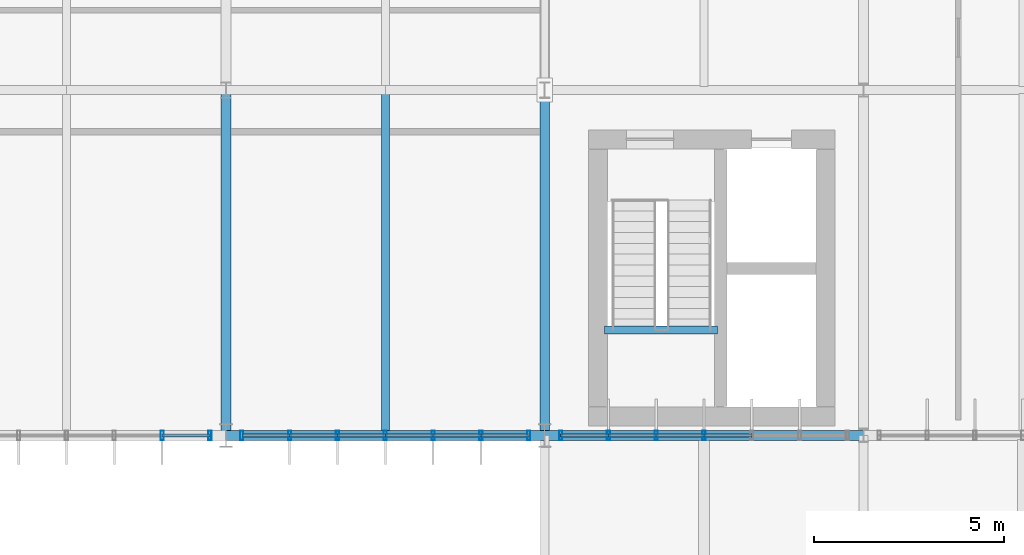
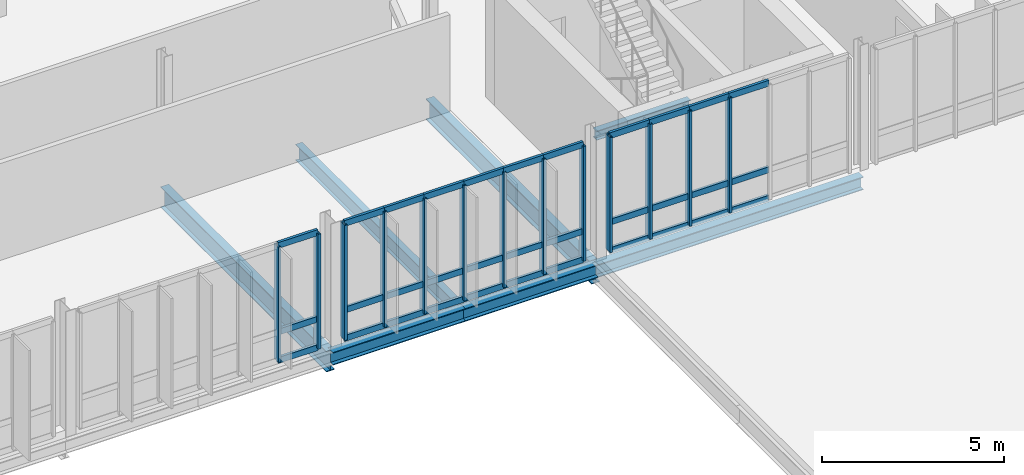
# One storey, part 61 of 107: 46 members, 7 beams, 3 elements without a shape of their own.
"""IFC4 building model written with IfcOpenShell, lengths in metres."""

from ifc_helpers import new_model, si_unit, derived_unit, direction, frame, origin, origin_2d, place, context, subcontext, project, spatial, hollow_rectangle, i_section, extrude, material, layer, layer_set, material_profile, profile_set, type_object, element, aggregate, save


model = new_model("IFC4")

# Units and contexts
model_context = context("Model", 3, precision=1e-05, world=origin(), true_north=direction((0.0, 1.0)))
body_context = subcontext(model_context, "Body", "Model", "MODEL_VIEW")
ifc_project = project(units=[si_unit("LENGTHUNIT", "METRE"), si_unit("AREAUNIT", "SQUARE_METRE"), si_unit("VOLUMEUNIT", "CUBIC_METRE"), si_unit("PLANEANGLEUNIT", "RADIAN"), si_unit("MASSUNIT", "GRAM", prefix="KILO"), derived_unit("THERMALTRANSMITTANCEUNIT", [(si_unit("MASSUNIT", "GRAM", prefix="KILO"), 1), (si_unit("TIMEUNIT", "SECOND"), -3), (si_unit("THERMODYNAMICTEMPERATUREUNIT", "KELVIN"), -1)])], contexts=[model_context])

# Site, building, storey
site_placement = place(None, origin())
site = spatial("IfcSite", under=ifc_project, at=site_placement, CompositionType="ELEMENT")
building_placement = place(site_placement, origin())
building = spatial("IfcBuilding", under=site, at=building_placement, Name="Makaiwela Harbour Ferry Terminal", CompositionType="ELEMENT")
storey_placement = place(building_placement, frame((0.0, 0.0, 9.60009765625)))
storey = spatial("IfcBuildingStorey", under=building, at=storey_placement, Name="L02", CompositionType="ELEMENT", Elevation=9.60009765625)

# Curtain wall, members
ifc_material_1 = material(Name="Marine anodised aluminium 6063-T6", Category="aluminium")
ifc_layer = layer(ifc_material_1, 0.199951171875)
ifc_layer_set = layer_set([ifc_layer], Name="Marine anodised aluminium 6063-T6")
curtain_wall_type = type_object("IfcCurtainWallType", Name="ENV-CW-09", PredefinedType="USERDEFINED", material=ifc_layer_set)
curtain_wall_1_placement = place(storey_placement, origin())
curtain_wall_1 = element("IfcCurtainWall", 1, at=curtain_wall_1_placement, inside=storey, type_object=curtain_wall_type, Name="Unitised Curtain Wall CWA-093", ObjectType="UNITIZED CURTAIN WALL", PredefinedType="USERDEFINED")
ifc_material_profile_1 = material_profile(ifc_material_1, hollow_rectangle(XDim=0.0849609375, YDim=0.25, WallThickness=0.0048828125, at=origin_2d()), Name="CWM-250X85")
ifc_profile_set_1 = profile_set([ifc_material_profile_1], Name="Marine anodised aluminium 6063-T6")
member_type_1 = type_object("IfcMemberType", Name="CW-MUL-250", PredefinedType="MULLION", material=ifc_profile_set_1)
member_1_placement = place(storey_placement, frame((129.780029296875, 49.39990234375, 0.0), z_axis=(0.0, 0.0, 1.0), x_axis=(1.0, 0.0, 0.0)))
member_1 = element("IfcMember", 2, at=member_1_placement, type_object=member_type_1, Name="Curtain Wall Mullion CWA-093-1", PredefinedType="MULLION", context=body_context, shape_type="SweptSolid", body=[
    extrude(hollow_rectangle(XDim=0.0849609375, YDim=0.25, WallThickness=0.0048828125, at=origin_2d()), origin(), (0.0, 0.0, 1.0), 3.849853515625),
])
member_2_placement = place(storey_placement, frame((128.52001953125, 49.39990234375, 0.0), z_axis=(0.0, 0.0, 1.0), x_axis=(1.0, 0.0, 0.0)))
member_2 = element("IfcMember", 3, at=member_2_placement, type_object=member_type_1, Name="Curtain Wall Mullion CWA-093-2", PredefinedType="MULLION", context=body_context, shape_type="SweptSolid", body=[
    extrude(hollow_rectangle(XDim=0.0849609375, YDim=0.25, WallThickness=0.0048828125, at=origin_2d()), origin(), (0.0, 0.0, 1.0), 3.849853515625),
])

curtain_wall_2_placement = place(storey_placement, origin())
curtain_wall_2 = element("IfcCurtainWall", 4, at=curtain_wall_2_placement, inside=storey, type_object=curtain_wall_type, Name="Unitised Curtain Wall CWA-096", ObjectType="UNITIZED CURTAIN WALL", PredefinedType="USERDEFINED")
member_3_placement = place(storey_placement, frame((138.179931640625, 49.39990234375, 0.0), z_axis=(0.0, 0.0, 1.0), x_axis=(1.0, 0.0, 0.0)))
member_3 = element("IfcMember", 5, at=member_3_placement, type_object=member_type_1, Name="Curtain Wall Mullion CWA-096-1", PredefinedType="MULLION", context=body_context, shape_type="SweptSolid", body=[
    extrude(hollow_rectangle(XDim=0.0849609375, YDim=0.25, WallThickness=0.0048828125, at=origin_2d()), origin(), (0.0, 0.0, 1.0), 3.849853515625),
])
member_4_placement = place(storey_placement, frame((136.919921875, 49.39990234375, 0.0), z_axis=(0.0, 0.0, 1.0), x_axis=(1.0, 0.0, 0.0)))
member_4 = element("IfcMember", 6, at=member_4_placement, type_object=member_type_1, Name="Curtain Wall Mullion CWA-096-2", PredefinedType="MULLION", context=body_context, shape_type="SweptSolid", body=[
    extrude(hollow_rectangle(XDim=0.0849609375, YDim=0.25, WallThickness=0.0048828125, at=origin_2d()), origin(), (0.0, 0.0, 1.0), 3.849853515625),
])
member_5_placement = place(storey_placement, frame((135.659912109375, 49.39990234375, 0.0), z_axis=(0.0, 0.0, 1.0), x_axis=(1.0, 0.0, 0.0)))
member_5 = element("IfcMember", 7, at=member_5_placement, type_object=member_type_1, Name="Curtain Wall Mullion CWA-096-3", PredefinedType="MULLION", context=body_context, shape_type="SweptSolid", body=[
    extrude(hollow_rectangle(XDim=0.0849609375, YDim=0.25, WallThickness=0.0048828125, at=origin_2d()), origin(), (0.0, 0.0, 1.0), 3.849853515625),
])
member_6_placement = place(storey_placement, frame((134.39990234375, 49.39990234375, 0.0), z_axis=(0.0, 0.0, 1.0), x_axis=(1.0, 0.0, 0.0)))
member_6 = element("IfcMember", 8, at=member_6_placement, type_object=member_type_1, Name="Curtain Wall Mullion CWA-096-4", PredefinedType="MULLION", context=body_context, shape_type="SweptSolid", body=[
    extrude(hollow_rectangle(XDim=0.0849609375, YDim=0.25, WallThickness=0.0048828125, at=origin_2d()), origin(), (0.0, 0.0, 1.0), 3.849853515625),
])
member_7_placement = place(storey_placement, frame((133.139892578125, 49.39990234375, 0.0), z_axis=(0.0, 0.0, 1.0), x_axis=(1.0, 0.0, 0.0)))
member_7 = element("IfcMember", 9, at=member_7_placement, type_object=member_type_1, Name="Curtain Wall Mullion CWA-096-5", PredefinedType="MULLION", context=body_context, shape_type="SweptSolid", body=[
    extrude(hollow_rectangle(XDim=0.0849609375, YDim=0.25, WallThickness=0.0048828125, at=origin_2d()), origin(), (0.0, 0.0, 1.0), 3.849853515625),
])
member_8_placement = place(storey_placement, frame((131.8798828125, 49.39990234375, 0.0), z_axis=(0.0, 0.0, 1.0), x_axis=(1.0, 0.0, 0.0)))
member_8 = element("IfcMember", 10, at=member_8_placement, type_object=member_type_1, Name="Curtain Wall Mullion CWA-096-6", PredefinedType="MULLION", context=body_context, shape_type="SweptSolid", body=[
    extrude(hollow_rectangle(XDim=0.0849609375, YDim=0.25, WallThickness=0.0048828125, at=origin_2d()), origin(), (0.0, 0.0, 1.0), 3.849853515625),
])
member_9_placement = place(storey_placement, frame((130.6201171875, 49.39990234375, 0.0), z_axis=(0.0, 0.0, 1.0), x_axis=(1.0, 0.0, 0.0)))
member_9 = element("IfcMember", 11, at=member_9_placement, type_object=member_type_1, Name="Curtain Wall Mullion CWA-096-7", PredefinedType="MULLION", context=body_context, shape_type="SweptSolid", body=[
    extrude(hollow_rectangle(XDim=0.0849609375, YDim=0.25, WallThickness=0.0048828125, at=origin_2d()), origin(), (0.0, 0.0, 1.0), 3.849853515625),
])

curtain_wall_3_placement = place(storey_placement, origin())
curtain_wall_3 = element("IfcCurtainWall", 12, at=curtain_wall_3_placement, inside=storey, type_object=curtain_wall_type, Name="Unitised Curtain Wall CWA-152", ObjectType="UNITIZED CURTAIN WALL", PredefinedType="USERDEFINED")
member_10_placement = place(storey_placement, frame((142.800048828125, 49.39990234375, 0.0), z_axis=(0.0, 0.0, 1.0), x_axis=(1.0, 0.0, 0.0)))
member_10 = element("IfcMember", 13, at=member_10_placement, type_object=member_type_1, Name="Curtain Wall Mullion CWA-152-4", PredefinedType="MULLION", context=body_context, shape_type="SweptSolid", body=[
    extrude(hollow_rectangle(XDim=0.0849609375, YDim=0.25, WallThickness=0.0048828125, at=origin_2d()), origin(), (0.0, 0.0, 1.0), 3.849853515625),
])
member_11_placement = place(storey_placement, frame((141.5400390625, 49.39990234375, 0.0), z_axis=(0.0, 0.0, 1.0), x_axis=(1.0, 0.0, 0.0)))
member_11 = element("IfcMember", 14, at=member_11_placement, type_object=member_type_1, Name="Curtain Wall Mullion CWA-152-5", PredefinedType="MULLION", context=body_context, shape_type="SweptSolid", body=[
    extrude(hollow_rectangle(XDim=0.0849609375, YDim=0.25, WallThickness=0.0048828125, at=origin_2d()), origin(), (0.0, 0.0, 1.0), 3.849853515625),
])
member_12_placement = place(storey_placement, frame((140.280029296875, 49.39990234375, 0.0), z_axis=(0.0, 0.0, 1.0), x_axis=(1.0, 0.0, 0.0)))
member_12 = element("IfcMember", 15, at=member_12_placement, type_object=member_type_1, Name="Curtain Wall Mullion CWA-152-6", PredefinedType="MULLION", context=body_context, shape_type="SweptSolid", body=[
    extrude(hollow_rectangle(XDim=0.0849609375, YDim=0.25, WallThickness=0.0048828125, at=origin_2d()), origin(), (0.0, 0.0, 1.0), 3.849853515625),
])
member_13_placement = place(storey_placement, frame((139.02001953125, 49.39990234375, 0.0), z_axis=(0.0, 0.0, 1.0), x_axis=(1.0, 0.0, 0.0)))
member_13 = element("IfcMember", 16, at=member_13_placement, type_object=member_type_1, Name="Curtain Wall Mullion CWA-152-7", PredefinedType="MULLION", context=body_context, shape_type="SweptSolid", body=[
    extrude(hollow_rectangle(XDim=0.0849609375, YDim=0.25, WallThickness=0.0048828125, at=origin_2d()), origin(), (0.0, 0.0, 1.0), 3.849853515625),
])

# Member
ifc_material_profile_2 = material_profile(ifc_material_1, hollow_rectangle(XDim=0.0849609375, YDim=0.199951171875, WallThickness=0.0048828125, at=origin_2d()), Name="CWT-200X85")
ifc_profile_set_2 = profile_set([ifc_material_profile_2], Name="Marine anodised aluminium 6063-T6")
member_type_2 = type_object("IfcMemberType", Name="CW-TRN-200", PredefinedType="USERDEFINED", material=ifc_profile_set_2)
member_14_placement = place(storey_placement, frame((129.780029296875, 49.39990234375, 0.0), z_axis=(-1.0, 0.0, 0.0), x_axis=(0.0, -1.0, 0.0)))
member_14 = element("IfcMember", 17, at=member_14_placement, type_object=member_type_2, Name="Curtain Wall Transom CWA-093-1-1", ObjectType="TRANSOM", PredefinedType="USERDEFINED", context=body_context, shape_type="SweptSolid", body=[
    extrude(hollow_rectangle(XDim=0.0849609375, YDim=0.199951171875, WallThickness=0.0048828125, at=origin_2d()), origin(), (0.0, 0.0, 1.0), 1.260009765625),
])

member_15_placement = place(storey_placement, frame((129.780029296875, 49.39990234375, 0.949951171875), z_axis=(-1.0, 0.0, 0.0), x_axis=(0.0, -1.0, 0.0)))
member_15 = element("IfcMember", 18, at=member_15_placement, type_object=member_type_2, Name="Curtain Wall Transom CWA-093-1-2", ObjectType="TRANSOM", PredefinedType="USERDEFINED", context=body_context, shape_type="SweptSolid", body=[
    extrude(hollow_rectangle(XDim=0.0849609375, YDim=0.199951171875, WallThickness=0.0048828125, at=origin_2d()), origin(), (0.0, 0.0, 1.0), 1.260009765625),
])

member_16_placement = place(storey_placement, frame((129.780029296875, 49.39990234375, 3.849853515625), z_axis=(-1.0, 0.0, 0.0), x_axis=(0.0, -1.0, 0.0)))
member_16 = element("IfcMember", 19, at=member_16_placement, type_object=member_type_2, Name="Curtain Wall Transom CWA-093-1-3", ObjectType="TRANSOM", PredefinedType="USERDEFINED", context=body_context, shape_type="SweptSolid", body=[
    extrude(hollow_rectangle(XDim=0.0849609375, YDim=0.199951171875, WallThickness=0.0048828125, at=origin_2d()), origin(), (0.0, 0.0, 1.0), 1.260009765625),
])

aggregate(curtain_wall_1, [member_1, member_2, member_14, member_15, member_16])

member_17_placement = place(storey_placement, frame((138.179931640625, 49.39990234375, 0.0), z_axis=(-1.0, 0.0, 0.0), x_axis=(0.0, -1.0, 0.0)))
member_17 = element("IfcMember", 20, at=member_17_placement, type_object=member_type_2, Name="Curtain Wall Transom CWA-096-1-1", ObjectType="TRANSOM", PredefinedType="USERDEFINED", context=body_context, shape_type="SweptSolid", body=[
    extrude(hollow_rectangle(XDim=0.0849609375, YDim=0.199951171875, WallThickness=0.0048828125, at=origin_2d()), origin(), (0.0, 0.0, 1.0), 1.260009765625),
])

member_18_placement = place(storey_placement, frame((138.179931640625, 49.39990234375, 0.949951171875), z_axis=(-1.0, 0.0, 0.0), x_axis=(0.0, -1.0, 0.0)))
member_18 = element("IfcMember", 21, at=member_18_placement, type_object=member_type_2, Name="Curtain Wall Transom CWA-096-1-2", ObjectType="TRANSOM", PredefinedType="USERDEFINED", context=body_context, shape_type="SweptSolid", body=[
    extrude(hollow_rectangle(XDim=0.0849609375, YDim=0.199951171875, WallThickness=0.0048828125, at=origin_2d()), origin(), (0.0, 0.0, 1.0), 1.260009765625),
])

member_19_placement = place(storey_placement, frame((138.179931640625, 49.39990234375, 3.849853515625), z_axis=(-1.0, 0.0, 0.0), x_axis=(0.0, -1.0, 0.0)))
member_19 = element("IfcMember", 22, at=member_19_placement, type_object=member_type_2, Name="Curtain Wall Transom CWA-096-1-3", ObjectType="TRANSOM", PredefinedType="USERDEFINED", context=body_context, shape_type="SweptSolid", body=[
    extrude(hollow_rectangle(XDim=0.0849609375, YDim=0.199951171875, WallThickness=0.0048828125, at=origin_2d()), origin(), (0.0, 0.0, 1.0), 1.260009765625),
])

member_20_placement = place(storey_placement, frame((136.919921875, 49.39990234375, 0.0), z_axis=(-1.0, 0.0, 0.0), x_axis=(0.0, -1.0, 0.0)))
member_20 = element("IfcMember", 23, at=member_20_placement, type_object=member_type_2, Name="Curtain Wall Transom CWA-096-2-1", ObjectType="TRANSOM", PredefinedType="USERDEFINED", context=body_context, shape_type="SweptSolid", body=[
    extrude(hollow_rectangle(XDim=0.0849609375, YDim=0.199951171875, WallThickness=0.0048828125, at=origin_2d()), origin(), (0.0, 0.0, 1.0), 1.260009765625),
])

member_21_placement = place(storey_placement, frame((136.919921875, 49.39990234375, 0.949951171875), z_axis=(-1.0, 0.0, 0.0), x_axis=(0.0, -1.0, 0.0)))
member_21 = element("IfcMember", 24, at=member_21_placement, type_object=member_type_2, Name="Curtain Wall Transom CWA-096-2-2", ObjectType="TRANSOM", PredefinedType="USERDEFINED", context=body_context, shape_type="SweptSolid", body=[
    extrude(hollow_rectangle(XDim=0.0849609375, YDim=0.199951171875, WallThickness=0.0048828125, at=origin_2d()), origin(), (0.0, 0.0, 1.0), 1.260009765625),
])

member_22_placement = place(storey_placement, frame((136.919921875, 49.39990234375, 3.849853515625), z_axis=(-1.0, 0.0, 0.0), x_axis=(0.0, -1.0, 0.0)))
member_22 = element("IfcMember", 25, at=member_22_placement, type_object=member_type_2, Name="Curtain Wall Transom CWA-096-2-3", ObjectType="TRANSOM", PredefinedType="USERDEFINED", context=body_context, shape_type="SweptSolid", body=[
    extrude(hollow_rectangle(XDim=0.0849609375, YDim=0.199951171875, WallThickness=0.0048828125, at=origin_2d()), origin(), (0.0, 0.0, 1.0), 1.260009765625),
])

member_23_placement = place(storey_placement, frame((135.659912109375, 49.39990234375, 0.0), z_axis=(-1.0, 0.0, 0.0), x_axis=(0.0, -1.0, 0.0)))
member_23 = element("IfcMember", 26, at=member_23_placement, type_object=member_type_2, Name="Curtain Wall Transom CWA-096-3-1", ObjectType="TRANSOM", PredefinedType="USERDEFINED", context=body_context, shape_type="SweptSolid", body=[
    extrude(hollow_rectangle(XDim=0.0849609375, YDim=0.199951171875, WallThickness=0.0048828125, at=origin_2d()), origin(), (0.0, 0.0, 1.0), 1.260009765625),
])

member_24_placement = place(storey_placement, frame((135.659912109375, 49.39990234375, 0.949951171875), z_axis=(-1.0, 0.0, 0.0), x_axis=(0.0, -1.0, 0.0)))
member_24 = element("IfcMember", 27, at=member_24_placement, type_object=member_type_2, Name="Curtain Wall Transom CWA-096-3-2", ObjectType="TRANSOM", PredefinedType="USERDEFINED", context=body_context, shape_type="SweptSolid", body=[
    extrude(hollow_rectangle(XDim=0.0849609375, YDim=0.199951171875, WallThickness=0.0048828125, at=origin_2d()), origin(), (0.0, 0.0, 1.0), 1.260009765625),
])

member_25_placement = place(storey_placement, frame((135.659912109375, 49.39990234375, 3.849853515625), z_axis=(-1.0, 0.0, 0.0), x_axis=(0.0, -1.0, 0.0)))
member_25 = element("IfcMember", 28, at=member_25_placement, type_object=member_type_2, Name="Curtain Wall Transom CWA-096-3-3", ObjectType="TRANSOM", PredefinedType="USERDEFINED", context=body_context, shape_type="SweptSolid", body=[
    extrude(hollow_rectangle(XDim=0.0849609375, YDim=0.199951171875, WallThickness=0.0048828125, at=origin_2d()), origin(), (0.0, 0.0, 1.0), 1.260009765625),
])

member_26_placement = place(storey_placement, frame((134.39990234375, 49.39990234375, 0.0), z_axis=(-1.0, 0.0, 0.0), x_axis=(0.0, -1.0, 0.0)))
member_26 = element("IfcMember", 29, at=member_26_placement, type_object=member_type_2, Name="Curtain Wall Transom CWA-096-4-1", ObjectType="TRANSOM", PredefinedType="USERDEFINED", context=body_context, shape_type="SweptSolid", body=[
    extrude(hollow_rectangle(XDim=0.0849609375, YDim=0.199951171875, WallThickness=0.0048828125, at=origin_2d()), origin(), (0.0, 0.0, 1.0), 1.260009765625),
])

member_27_placement = place(storey_placement, frame((134.39990234375, 49.39990234375, 0.949951171875), z_axis=(-1.0, 0.0, 0.0), x_axis=(0.0, -1.0, 0.0)))
member_27 = element("IfcMember", 30, at=member_27_placement, type_object=member_type_2, Name="Curtain Wall Transom CWA-096-4-2", ObjectType="TRANSOM", PredefinedType="USERDEFINED", context=body_context, shape_type="SweptSolid", body=[
    extrude(hollow_rectangle(XDim=0.0849609375, YDim=0.199951171875, WallThickness=0.0048828125, at=origin_2d()), origin(), (0.0, 0.0, 1.0), 1.260009765625),
])

member_28_placement = place(storey_placement, frame((134.39990234375, 49.39990234375, 3.849853515625), z_axis=(-1.0, 0.0, 0.0), x_axis=(0.0, -1.0, 0.0)))
member_28 = element("IfcMember", 31, at=member_28_placement, type_object=member_type_2, Name="Curtain Wall Transom CWA-096-4-3", ObjectType="TRANSOM", PredefinedType="USERDEFINED", context=body_context, shape_type="SweptSolid", body=[
    extrude(hollow_rectangle(XDim=0.0849609375, YDim=0.199951171875, WallThickness=0.0048828125, at=origin_2d()), origin(), (0.0, 0.0, 1.0), 1.260009765625),
])

member_29_placement = place(storey_placement, frame((133.139892578125, 49.39990234375, 0.0), z_axis=(-1.0, 0.0, 0.0), x_axis=(0.0, -1.0, 0.0)))
member_29 = element("IfcMember", 32, at=member_29_placement, type_object=member_type_2, Name="Curtain Wall Transom CWA-096-5-1", ObjectType="TRANSOM", PredefinedType="USERDEFINED", context=body_context, shape_type="SweptSolid", body=[
    extrude(hollow_rectangle(XDim=0.0849609375, YDim=0.199951171875, WallThickness=0.0048828125, at=origin_2d()), origin(), (0.0, 0.0, 1.0), 1.260009765625),
])

member_30_placement = place(storey_placement, frame((133.139892578125, 49.39990234375, 0.949951171875), z_axis=(-1.0, 0.0, 0.0), x_axis=(0.0, -1.0, 0.0)))
member_30 = element("IfcMember", 33, at=member_30_placement, type_object=member_type_2, Name="Curtain Wall Transom CWA-096-5-2", ObjectType="TRANSOM", PredefinedType="USERDEFINED", context=body_context, shape_type="SweptSolid", body=[
    extrude(hollow_rectangle(XDim=0.0849609375, YDim=0.199951171875, WallThickness=0.0048828125, at=origin_2d()), origin(), (0.0, 0.0, 1.0), 1.260009765625),
])

member_31_placement = place(storey_placement, frame((133.139892578125, 49.39990234375, 3.849853515625), z_axis=(-1.0, 0.0, 0.0), x_axis=(0.0, -1.0, 0.0)))
member_31 = element("IfcMember", 34, at=member_31_placement, type_object=member_type_2, Name="Curtain Wall Transom CWA-096-5-3", ObjectType="TRANSOM", PredefinedType="USERDEFINED", context=body_context, shape_type="SweptSolid", body=[
    extrude(hollow_rectangle(XDim=0.0849609375, YDim=0.199951171875, WallThickness=0.0048828125, at=origin_2d()), origin(), (0.0, 0.0, 1.0), 1.260009765625),
])

member_32_placement = place(storey_placement, frame((131.8798828125, 49.39990234375, 0.0), z_axis=(-1.0, 0.0, 0.0), x_axis=(0.0, -1.0, 0.0)))
member_32 = element("IfcMember", 35, at=member_32_placement, type_object=member_type_2, Name="Curtain Wall Transom CWA-096-6-1", ObjectType="TRANSOM", PredefinedType="USERDEFINED", context=body_context, shape_type="SweptSolid", body=[
    extrude(hollow_rectangle(XDim=0.0849609375, YDim=0.199951171875, WallThickness=0.0048828125, at=origin_2d()), origin(), (0.0, 0.0, 1.0), 1.259765625),
])

member_33_placement = place(storey_placement, frame((131.8798828125, 49.39990234375, 0.949951171875), z_axis=(-1.0, 0.0, 0.0), x_axis=(0.0, -1.0, 0.0)))
member_33 = element("IfcMember", 36, at=member_33_placement, type_object=member_type_2, Name="Curtain Wall Transom CWA-096-6-2", ObjectType="TRANSOM", PredefinedType="USERDEFINED", context=body_context, shape_type="SweptSolid", body=[
    extrude(hollow_rectangle(XDim=0.0849609375, YDim=0.199951171875, WallThickness=0.0048828125, at=origin_2d()), origin(), (0.0, 0.0, 1.0), 1.259765625),
])

member_34_placement = place(storey_placement, frame((131.8798828125, 49.39990234375, 3.849853515625), z_axis=(-1.0, 0.0, 0.0), x_axis=(0.0, -1.0, 0.0)))
member_34 = element("IfcMember", 37, at=member_34_placement, type_object=member_type_2, Name="Curtain Wall Transom CWA-096-6-3", ObjectType="TRANSOM", PredefinedType="USERDEFINED", context=body_context, shape_type="SweptSolid", body=[
    extrude(hollow_rectangle(XDim=0.0849609375, YDim=0.199951171875, WallThickness=0.0048828125, at=origin_2d()), origin(), (0.0, 0.0, 1.0), 1.259765625),
])

aggregate(curtain_wall_2, [member_3, member_4, member_5, member_6, member_7, member_8, member_9, member_17, member_18, member_19, member_20, member_21, member_22, member_23, member_24, member_25, member_26, member_27, member_28, member_29, member_30, member_31, member_32, member_33, member_34])

member_35_placement = place(storey_placement, frame((144.06005859375, 49.39990234375, 0.0), z_axis=(-1.0, 0.0, 0.0), x_axis=(0.0, -1.0, 0.0)))
member_35 = element("IfcMember", 38, at=member_35_placement, type_object=member_type_2, Name="Curtain Wall Transom CWA-152-3-1", ObjectType="TRANSOM", PredefinedType="USERDEFINED", context=body_context, shape_type="SweptSolid", body=[
    extrude(hollow_rectangle(XDim=0.0849609375, YDim=0.199951171875, WallThickness=0.0048828125, at=origin_2d()), origin(), (0.0, 0.0, 1.0), 1.260009765625),
])

member_36_placement = place(storey_placement, frame((144.06005859375, 49.39990234375, 0.949951171875), z_axis=(-1.0, 0.0, 0.0), x_axis=(0.0, -1.0, 0.0)))
member_36 = element("IfcMember", 39, at=member_36_placement, type_object=member_type_2, Name="Curtain Wall Transom CWA-152-3-2", ObjectType="TRANSOM", PredefinedType="USERDEFINED", context=body_context, shape_type="SweptSolid", body=[
    extrude(hollow_rectangle(XDim=0.0849609375, YDim=0.199951171875, WallThickness=0.0048828125, at=origin_2d()), origin(), (0.0, 0.0, 1.0), 1.260009765625),
])

member_37_placement = place(storey_placement, frame((144.06005859375, 49.39990234375, 3.849853515625), z_axis=(-1.0, 0.0, 0.0), x_axis=(0.0, -1.0, 0.0)))
member_37 = element("IfcMember", 40, at=member_37_placement, type_object=member_type_2, Name="Curtain Wall Transom CWA-152-3-3", ObjectType="TRANSOM", PredefinedType="USERDEFINED", context=body_context, shape_type="SweptSolid", body=[
    extrude(hollow_rectangle(XDim=0.0849609375, YDim=0.199951171875, WallThickness=0.0048828125, at=origin_2d()), origin(), (0.0, 0.0, 1.0), 1.260009765625),
])

member_38_placement = place(storey_placement, frame((142.800048828125, 49.39990234375, 0.0), z_axis=(-1.0, 0.0, 0.0), x_axis=(0.0, -1.0, 0.0)))
member_38 = element("IfcMember", 41, at=member_38_placement, type_object=member_type_2, Name="Curtain Wall Transom CWA-152-4-1", ObjectType="TRANSOM", PredefinedType="USERDEFINED", context=body_context, shape_type="SweptSolid", body=[
    extrude(hollow_rectangle(XDim=0.0849609375, YDim=0.199951171875, WallThickness=0.0048828125, at=origin_2d()), origin(), (0.0, 0.0, 1.0), 1.260009765625),
])

member_39_placement = place(storey_placement, frame((142.800048828125, 49.39990234375, 0.949951171875), z_axis=(-1.0, 0.0, 0.0), x_axis=(0.0, -1.0, 0.0)))
member_39 = element("IfcMember", 42, at=member_39_placement, type_object=member_type_2, Name="Curtain Wall Transom CWA-152-4-2", ObjectType="TRANSOM", PredefinedType="USERDEFINED", context=body_context, shape_type="SweptSolid", body=[
    extrude(hollow_rectangle(XDim=0.0849609375, YDim=0.199951171875, WallThickness=0.0048828125, at=origin_2d()), origin(), (0.0, 0.0, 1.0), 1.260009765625),
])

member_40_placement = place(storey_placement, frame((142.800048828125, 49.39990234375, 3.849853515625), z_axis=(-1.0, 0.0, 0.0), x_axis=(0.0, -1.0, 0.0)))
member_40 = element("IfcMember", 43, at=member_40_placement, type_object=member_type_2, Name="Curtain Wall Transom CWA-152-4-3", ObjectType="TRANSOM", PredefinedType="USERDEFINED", context=body_context, shape_type="SweptSolid", body=[
    extrude(hollow_rectangle(XDim=0.0849609375, YDim=0.199951171875, WallThickness=0.0048828125, at=origin_2d()), origin(), (0.0, 0.0, 1.0), 1.260009765625),
])

member_41_placement = place(storey_placement, frame((141.5400390625, 49.39990234375, 0.0), z_axis=(-1.0, 0.0, 0.0), x_axis=(0.0, -1.0, 0.0)))
member_41 = element("IfcMember", 44, at=member_41_placement, type_object=member_type_2, Name="Curtain Wall Transom CWA-152-5-1", ObjectType="TRANSOM", PredefinedType="USERDEFINED", context=body_context, shape_type="SweptSolid", body=[
    extrude(hollow_rectangle(XDim=0.0849609375, YDim=0.199951171875, WallThickness=0.0048828125, at=origin_2d()), origin(), (0.0, 0.0, 1.0), 1.260009765625),
])

member_42_placement = place(storey_placement, frame((141.5400390625, 49.39990234375, 0.949951171875), z_axis=(-1.0, 0.0, 0.0), x_axis=(0.0, -1.0, 0.0)))
member_42 = element("IfcMember", 45, at=member_42_placement, type_object=member_type_2, Name="Curtain Wall Transom CWA-152-5-2", ObjectType="TRANSOM", PredefinedType="USERDEFINED", context=body_context, shape_type="SweptSolid", body=[
    extrude(hollow_rectangle(XDim=0.0849609375, YDim=0.199951171875, WallThickness=0.0048828125, at=origin_2d()), origin(), (0.0, 0.0, 1.0), 1.260009765625),
])

member_43_placement = place(storey_placement, frame((141.5400390625, 49.39990234375, 3.849853515625), z_axis=(-1.0, 0.0, 0.0), x_axis=(0.0, -1.0, 0.0)))
member_43 = element("IfcMember", 46, at=member_43_placement, type_object=member_type_2, Name="Curtain Wall Transom CWA-152-5-3", ObjectType="TRANSOM", PredefinedType="USERDEFINED", context=body_context, shape_type="SweptSolid", body=[
    extrude(hollow_rectangle(XDim=0.0849609375, YDim=0.199951171875, WallThickness=0.0048828125, at=origin_2d()), origin(), (0.0, 0.0, 1.0), 1.260009765625),
])

member_44_placement = place(storey_placement, frame((140.280029296875, 49.39990234375, 0.0), z_axis=(-1.0, 0.0, 0.0), x_axis=(0.0, -1.0, 0.0)))
member_44 = element("IfcMember", 47, at=member_44_placement, type_object=member_type_2, Name="Curtain Wall Transom CWA-152-6-1", ObjectType="TRANSOM", PredefinedType="USERDEFINED", context=body_context, shape_type="SweptSolid", body=[
    extrude(hollow_rectangle(XDim=0.0849609375, YDim=0.199951171875, WallThickness=0.0048828125, at=origin_2d()), origin(), (0.0, 0.0, 1.0), 1.260009765625),
])

member_45_placement = place(storey_placement, frame((140.280029296875, 49.39990234375, 0.949951171875), z_axis=(-1.0, 0.0, 0.0), x_axis=(0.0, -1.0, 0.0)))
member_45 = element("IfcMember", 48, at=member_45_placement, type_object=member_type_2, Name="Curtain Wall Transom CWA-152-6-2", ObjectType="TRANSOM", PredefinedType="USERDEFINED", context=body_context, shape_type="SweptSolid", body=[
    extrude(hollow_rectangle(XDim=0.0849609375, YDim=0.199951171875, WallThickness=0.0048828125, at=origin_2d()), origin(), (0.0, 0.0, 1.0), 1.260009765625),
])

member_46_placement = place(storey_placement, frame((140.280029296875, 49.39990234375, 3.849853515625), z_axis=(-1.0, 0.0, 0.0), x_axis=(0.0, -1.0, 0.0)))
member_46 = element("IfcMember", 49, at=member_46_placement, type_object=member_type_2, Name="Curtain Wall Transom CWA-152-6-3", ObjectType="TRANSOM", PredefinedType="USERDEFINED", context=body_context, shape_type="SweptSolid", body=[
    extrude(hollow_rectangle(XDim=0.0849609375, YDim=0.199951171875, WallThickness=0.0048828125, at=origin_2d()), origin(), (0.0, 0.0, 1.0), 1.260009765625),
])

aggregate(curtain_wall_3, [member_10, member_11, member_12, member_13, member_35, member_36, member_37, member_38, member_39, member_40, member_41, member_42, member_43, member_44, member_45, member_46])

# Beams
ifc_material_2 = material(Name="Steel ASTM A992 Grade 50", Category="steel")
ifc_material_profile_3 = material_profile(ifc_material_2, i_section(OverallWidth=0.2099609375, OverallDepth=0.537109375, WebThickness=0.010986328125, FlangeThickness=0.017333984375, at=origin_2d()), Name="W21X68")
ifc_profile_set_3 = profile_set([ifc_material_profile_3], Name="Steel ASTM A992 Grade 50")
beam_type_1 = type_object("IfcBeamType", Name="STR-BM-W21X68", PredefinedType="BEAM", material=ifc_profile_set_3)
beam_1_placement = place(storey_placement, frame((134.39990234375, 49.514404296875, -0.528564453125), z_axis=(0.0, 1.0, 0.0), x_axis=(-1.0, 0.0, 0.0)))
element("IfcBeam", 50, at=beam_1_placement, inside=storey, type_object=beam_type_1, Name="Secondary floor beam 1518", PredefinedType="BEAM", context=body_context, shape_type="SweptSolid", body=[
    extrude(i_section(OverallWidth=0.2099609375, OverallDepth=0.537109375, WebThickness=0.010986328125, FlangeThickness=0.017333984375, at=origin_2d()), origin(), (0.0, 0.0, 1.0), 8.88916015625),
])
ifc_material_profile_4 = material_profile(ifc_material_2, i_section(OverallWidth=0.256103515625, OverallDepth=0.693115234375, WebThickness=0.014404296875, FlangeThickness=0.023681640625, at=origin_2d()), Name="W27X114")
ifc_profile_set_4 = profile_set([ifc_material_profile_4], Name="Steel ASTM A992 Grade 50")
beam_type_2 = type_object("IfcBeamType", Name="STR-GRD-W27X114", PredefinedType="USERDEFINED", material=ifc_profile_set_4)
for number, where, z_axis, x_axis, name in (
    (51, (130.199951171875, 49.39990234375, -0.606689453125), (0.0, 1.0, 0.0), (-1.0, 0.0, 0.0), "Primary Y girder 1416"),
    (52, (138.60009765625, 49.39990234375, -0.606689453125), (0.0, 1.0, 0.0), (-1.0, 0.0, 0.0), "Primary Y girder 1425"),
):
    element("IfcBeam", number, at=place(storey_placement, frame(where, z_axis=z_axis, x_axis=x_axis)), inside=storey, type_object=beam_type_2, Name=name, ObjectType="GIRDER", PredefinedType="USERDEFINED", context=body_context, shape_type="SweptSolid", body=[
        extrude(i_section(OverallWidth=0.256103515625, OverallDepth=0.693115234375, WebThickness=0.014404296875, FlangeThickness=0.023681640625, at=origin_2d()), origin(), (0.0, 0.0, 1.0), 9.10009765625),
    ])
ifc_material_profile_5 = material_profile(ifc_material_2, i_section(OverallWidth=0.205078125, OverallDepth=0.31005859375, WebThickness=0.009521484375, FlangeThickness=0.016357421875, at=origin_2d()), Name="W12X50")
ifc_profile_set_5 = profile_set([ifc_material_profile_5], Name="Steel ASTM A992 Grade 50")
beam_type_3 = type_object("IfcBeamType", Name="STR-LNT-W12X50", PredefinedType="LINTEL", material=ifc_profile_set_5)
beam_2_placement = place(storey_placement, frame((140.175048828125, 52.179931640625, 1.794921875), z_axis=(1.0, 0.0, 0.0), x_axis=(0.0, 1.0, 0.0)))
element("IfcBeam", 53, at=beam_2_placement, inside=storey, type_object=beam_type_3, Name="Stair Landing Beam ST-05-L02", PredefinedType="LINTEL", context=body_context, shape_type="SweptSolid", body=[
    extrude(i_section(OverallWidth=0.205078125, OverallDepth=0.31005859375, WebThickness=0.009521484375, FlangeThickness=0.016357421875, at=origin_2d()), origin(), (0.0, 0.0, 1.0), 2.97998046875),
])
ifc_material_profile_6 = material_profile(ifc_material_2, i_section(OverallWidth=0.264892578125, OverallDepth=0.430908203125, WebThickness=0.014892578125, FlangeThickness=0.02490234375, at=origin_2d()), Name="W16X100")
ifc_profile_set_6 = profile_set([ifc_material_profile_6], Name="Steel ASTM A992 Grade 50")
beam_type_4 = type_object("IfcBeamType", Name="STR-SPN-W16X100", PredefinedType="SPANDREL", material=ifc_profile_set_6)
beam_3_placement = place(storey_placement, frame((130.199951171875, 49.39990234375, -0.4755859375), z_axis=(1.0, 0.0, 0.0), x_axis=(0.0, 1.0, 0.0)))
element("IfcBeam", 54, at=beam_3_placement, inside=storey, type_object=beam_type_4, Name="Primary X girder 1287", PredefinedType="SPANDREL", context=body_context, shape_type="SweptSolid", body=[
    extrude(i_section(OverallWidth=0.264892578125, OverallDepth=0.430908203125, WebThickness=0.014892578125, FlangeThickness=0.02490234375, at=origin_2d()), origin(), (0.0, 0.0, 1.0), 4.199951171875),
])
beam_4_placement = place(storey_placement, frame((134.39990234375, 49.39990234375, -0.4755859375), z_axis=(1.0, 0.0, 0.0), x_axis=(0.0, 1.0, 0.0)))
element("IfcBeam", 55, at=beam_4_placement, inside=storey, type_object=beam_type_4, Name="Primary X girder 1288", PredefinedType="SPANDREL", context=body_context, shape_type="SweptSolid", body=[
    extrude(i_section(OverallWidth=0.264892578125, OverallDepth=0.430908203125, WebThickness=0.014892578125, FlangeThickness=0.02490234375, at=origin_2d()), origin(), (0.0, 0.0, 1.0), 4.2001953125),
])
beam_5_placement = place(storey_placement, frame((138.60009765625, 49.39990234375, -0.4755859375), z_axis=(1.0, 0.0, 0.0), x_axis=(0.0, 1.0, 0.0)))
element("IfcBeam", 56, at=beam_5_placement, inside=storey, type_object=beam_type_4, Name="Primary X girder 1289", PredefinedType="SPANDREL", context=body_context, shape_type="SweptSolid", body=[
    extrude(i_section(OverallWidth=0.264892578125, OverallDepth=0.430908203125, WebThickness=0.014892578125, FlangeThickness=0.02490234375, at=origin_2d()), origin(), (0.0, 0.0, 1.0), 8.39990234375),
])

save(model, "model.ifc")
